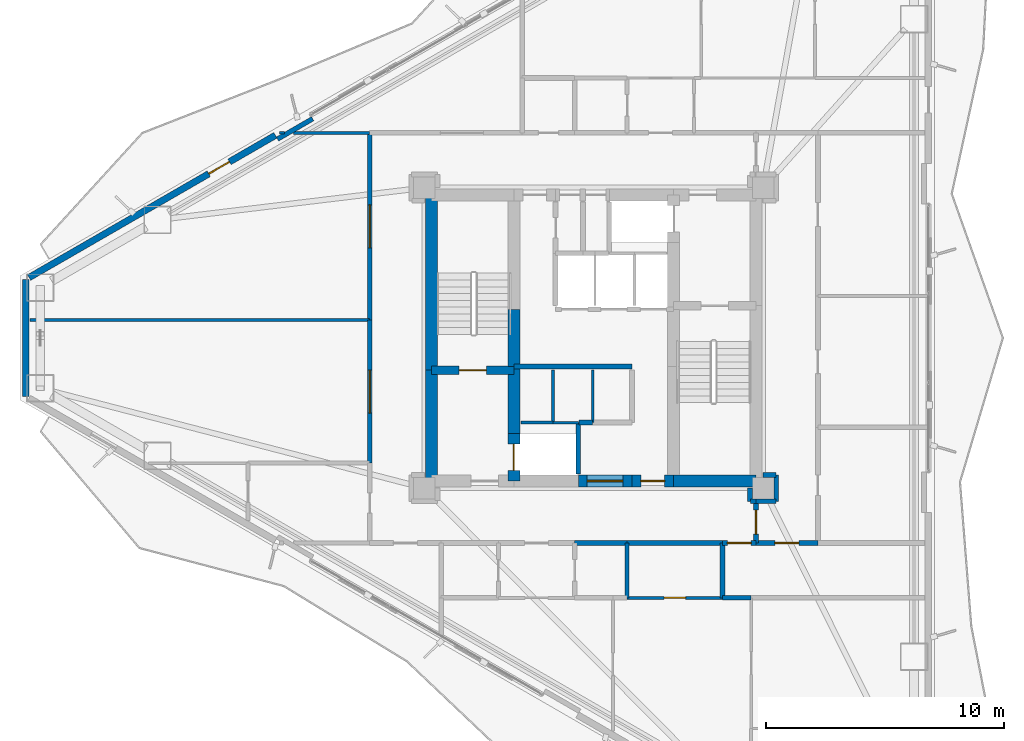
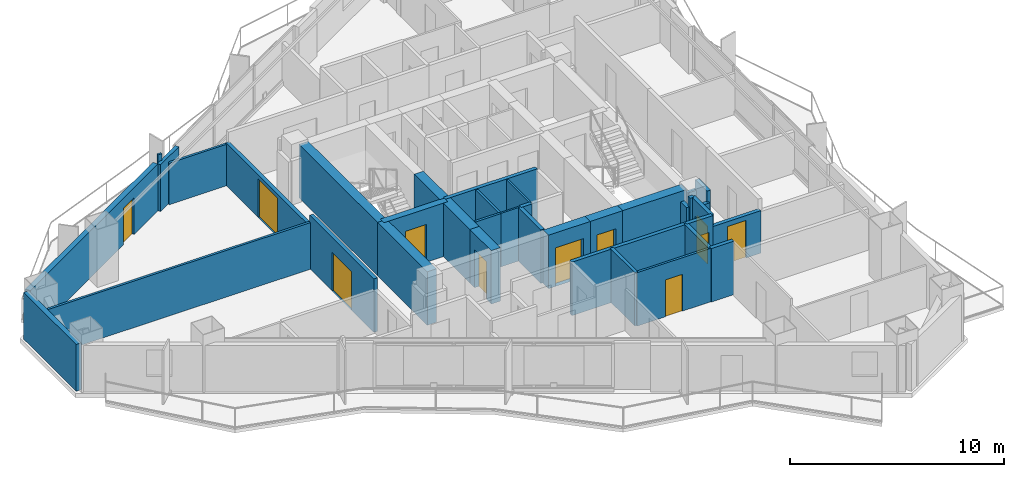
# One storey, part 16 of 22: 38 walls, 11 doors, 11 openings.
"""IFC4 building model written with IfcOpenShell, lengths in metres."""

from ifc_helpers import new_model, si_unit, direction, frame, frame_2d, origin, place, context, subcontext, project, spatial, rectangle, extrude, material, layer, layer_set, type_object, element, fill, save


model = new_model("IFC4")

# Units and contexts
model_context = context("Model", 3, precision=1e-05, world=origin(), true_north=direction((0.0, 1.0)))
body_context = subcontext(model_context, "Body", "Model", "MODEL_VIEW")
ifc_project = project(units=[si_unit("LENGTHUNIT", "METRE"), si_unit("AREAUNIT", "SQUARE_METRE"), si_unit("VOLUMEUNIT", "CUBIC_METRE"), si_unit("PLANEANGLEUNIT", "RADIAN"), si_unit("MASSUNIT", "GRAM", prefix="KILO")], contexts=[model_context])

# Site, building, storey
site_placement = place(None, origin())
site = spatial("IfcSite", under=ifc_project, at=site_placement, CompositionType="ELEMENT")
building_placement = place(site_placement, origin())
building = spatial("IfcBuilding", under=site, at=building_placement, Name="Mersakhor Tower and Convention Hall", CompositionType="ELEMENT")
storey_placement = place(building_placement, frame((0.0, 0.0, 83.39990234375)))
storey = spatial("IfcBuildingStorey", under=building, at=storey_placement, Name="L22", CompositionType="ELEMENT", Elevation=83.39990234375)

# Wall
ifc_material_1 = material(Name="Precast concrete C45/55", Category="concrete")
ifc_layer_1 = layer(ifc_material_1, 0.27490234375)
ifc_layer_set_1 = layer_set([ifc_layer_1], Name="Precast concrete C45/55")
wall_type_1 = type_object("IfcWallType", Name="WL-EXT-275", PredefinedType="SOLIDWALL", material=ifc_layer_set_1)
wall_1_placement = place(storey_placement, frame((5.186767578125, 24.292724609375, 0.0), z_axis=(0.0, 0.0, 1.0), x_axis=(0.0, 1.0, 0.0)))
element("IfcWall", 1, at=wall_1_placement, inside=storey, type_object=wall_type_1, Name="L22 Chamfer Braced Spandrel Wall C3", PredefinedType="SOLIDWALL", context=body_context, shape_type="SweptSolid", body=[
    extrude(rectangle(XDim=4.91455078125, YDim=0.27490234375, at=frame_2d((2.457275390625, 0.0))), origin(), (0.0, 0.0, 1.0), 2.670166015625),
])

# Wall, opening, door
wall_2_placement = place(storey_placement, frame((5.316650390625, 29.2822265625, 0.0), z_axis=(0.0, 0.0, 1.0), x_axis=(0.866023023012, 0.500004123596, 0.0)))
wall_2 = element("IfcWall", 2, at=wall_2_placement, inside=storey, type_object=wall_type_1, Name="L22 Exterior Facade Wall F1-B1", PredefinedType="SOLIDWALL", context=body_context, shape_type="SweptSolid", body=[
    extrude(rectangle(XDim=11.9296875, YDim=0.27490234375, at=frame_2d((5.96484375, 0.0))), origin(), (0.0, 0.0, 1.0), 2.670166015625),
])
opening_1_placement = place(wall_2_placement, frame((8.7041015625, 0.0, 0.0)))
opening_1 = element("IfcOpeningElement", 3, at=opening_1_placement, cuts=wall_2, Name="Opening BD-01", PredefinedType="OPENING", context=body_context, shape_type="SweptSolid", body=[
    extrude(rectangle(XDim=1.0, YDim=2.10009765625, at=frame_2d((0.5, 1.050048828125))), frame((0.0, 0.1474609375, 0.0), z_axis=(0.0, -1.0, 0.0), x_axis=(1.0, 0.0, 0.0)), (0.0, 0.0, 1.0), 0.294921875),
])
ifc_material_2 = material(Name="Thermally broken dark aluminium and safety glass", Category="aluminium")
door_type_1 = type_object("IfcDoorType", Name="DR-BAL-100x210", OperationType="NOTDEFINED", PredefinedType="DOOR", material=ifc_material_2)
door_1_placement = place(opening_1_placement, origin())
door_1 = element("IfcDoor", 4, at=door_1_placement, inside=storey, type_object=door_type_1, Name="L22 Balcony Terrace Door F1-B1", OperationType="SINGLE_SWING_LEFT", OverallHeight=2.10009765625, OverallWidth=1.0, PredefinedType="DOOR", context=body_context, shape_type="SweptSolid", body=[
    extrude(rectangle(XDim=1.0, YDim=2.10009765625, at=frame_2d((0.5, 1.050048828125))), frame((0.0, 0.02490234375, 0.0), z_axis=(0.0, -1.0, 0.0), x_axis=(1.0, 0.0, 0.0)), (0.0, 0.0, 1.0), 0.050048828125),
])
fill(opening_1, door_1)

# Walls
ifc_material_3 = material(Name="Precast concrete C40/50", Category="concrete")
ifc_layer_2 = layer(ifc_material_3, 0.199951171875)
ifc_layer_set_2 = layer_set([ifc_layer_2], Name="Precast concrete C40/50")
wall_type_2 = type_object("IfcWallType", Name="WL-PAR-200", PredefinedType="PARAPET", material=ifc_layer_set_2)
wall_3_placement = place(storey_placement, frame((15.73779296875, 35.091064453125, 0.0), z_axis=(0.0, 0.0, 1.0), x_axis=(0.866025371046, 0.500000056704, 0.0)))
element("IfcWall", 5, at=wall_3_placement, inside=storey, type_object=wall_type_2, Name="L22 Column Pier Cladding Wall F1-C1", PredefinedType="PARAPET", context=body_context, shape_type="SweptSolid", body=[
    extrude(rectangle(XDim=1.7001953125, YDim=0.199951171875, at=frame_2d((0.85009765625, 0.0))), origin(), (0.0, 0.0, 1.0), 2.670166015625),
])
ifc_material_4 = material(Name="Moisture-resistant acoustic drywall studwork", Category="other")
ifc_layer_3 = layer(ifc_material_4, 0.175048828125)
ifc_layer_set_3 = layer_set([ifc_layer_3], Name="Moisture-resistant acoustic drywall studwork")
wall_type_3 = type_object("IfcWallType", Name="WL-PLM-175", PredefinedType="PLUMBINGWALL", material=ifc_layer_set_3)
wall_4_placement = place(storey_placement, frame((30.39990234375, 18.14990234375, 0.0), z_axis=(0.0, 0.0, 1.0), x_axis=(0.0, -1.0, 0.0)))
element("IfcWall", 6, at=wall_4_placement, inside=storey, type_object=wall_type_3, Name="L22 Interior Partition Wall P-080", PredefinedType="PLUMBINGWALL", context=body_context, shape_type="SweptSolid", body=[
    extrude(rectangle(XDim=2.2998046875, YDim=0.175048828125, at=frame_2d((1.14990234375, 0.0))), origin(), (0.0, 0.0, 1.0), 3.050048828125),
])
ifc_material_5 = material(Name="Lightweight gypsum partition", Category="other")
ifc_layer_4 = layer(ifc_material_5, 0.10009765625)
ifc_layer_set_4 = layer_set([ifc_layer_4], Name="Lightweight gypsum partition")
wall_type_4 = type_object("IfcWallType", Name="WL-PRT-100", PredefinedType="PARTITIONING", material=ifc_layer_set_4)
wall_5_placement = place(storey_placement, frame((27.300048828125, 23.199951171875, 0.0), z_axis=(0.0, 0.0, 1.0), x_axis=(1.0, 0.0, 0.0)))
element("IfcWall", 7, at=wall_5_placement, inside=storey, type_object=wall_type_4, Name="L22 Interior Partition Wall P-002", PredefinedType="PARTITIONING", context=body_context, shape_type="SweptSolid", body=[
    extrude(rectangle(XDim=1.050048828125, YDim=0.10009765625, at=frame_2d((0.52490234375, 0.0))), origin(), (0.0, 0.0, 1.0), 3.050048828125),
])
wall_6_placement = place(storey_placement, frame((28.949951171875, 25.39990234375, 0.0), z_axis=(0.0, 0.0, 1.0), x_axis=(0.0, -1.0, 0.0)))
element("IfcWall", 8, at=wall_6_placement, inside=storey, type_object=wall_type_4, Name="L22 Interior Partition Wall P-008", PredefinedType="PARTITIONING", context=body_context, shape_type="SweptSolid", body=[
    extrude(rectangle(XDim=2.199951171875, YDim=0.10009765625, at=frame_2d((1.10009765625, 0.0))), origin(), (0.0, 0.0, 1.0), 3.050048828125),
])
wall_7_placement = place(storey_placement, frame((16.026123046875, 35.35009765625, 0.0), z_axis=(0.0, 0.0, 1.0), x_axis=(-1.0, 0.0, 0.0)))
element("IfcWall", 9, at=wall_7_placement, inside=storey, type_object=wall_type_4, Name="L22 Interior Partition Wall P-086", PredefinedType="PARTITIONING", context=body_context, shape_type="SweptSolid", body=[
    extrude(rectangle(XDim=0.2001953125, YDim=0.10009765625, at=frame_2d((0.10009765625, 0.0))), origin(), (0.0, 0.0, 1.0), 3.050048828125),
])
ifc_material_6 = material(Name="Gypsum board acoustic partition", Category="other")
ifc_layer_5 = layer(ifc_material_6, 0.125)
ifc_layer_set_5 = layer_set([ifc_layer_5], Name="Gypsum board acoustic partition")
wall_type_5 = type_object("IfcWallType", Name="WL-PRT-125", PredefinedType="PARTITIONING", material=ifc_layer_set_5)
wall_8_placement = place(storey_placement, frame((25.949951171875, 23.199951171875, 0.0), z_axis=(0.0, 0.0, 1.0), x_axis=(1.0, 0.0, 0.0)))
element("IfcWall", 10, at=wall_8_placement, inside=storey, type_object=wall_type_5, Name="L22 Interior Partition Wall P-001", PredefinedType="PARTITIONING", context=body_context, shape_type="SweptSolid", body=[
    extrude(rectangle(XDim=1.35009765625, YDim=0.125, at=frame_2d((0.675048828125, 0.0))), origin(), (0.0, 0.0, 1.0), 3.050048828125),
])
wall_9_placement = place(storey_placement, frame((27.300048828125, 25.39990234375, 0.0), z_axis=(0.0, 0.0, 1.0), x_axis=(0.0, -1.0, 0.0)))
element("IfcWall", 11, at=wall_9_placement, inside=storey, type_object=wall_type_5, Name="L22 Interior Partition Wall P-007", PredefinedType="PARTITIONING", context=body_context, shape_type="SweptSolid", body=[
    extrude(rectangle(XDim=2.199951171875, YDim=0.125, at=frame_2d((1.10009765625, 0.0))), origin(), (0.0, 0.0, 1.0), 3.050048828125),
])

# Wall, opening, door
wall_10_placement = place(storey_placement, frame((34.39990234375, 15.85009765625, 0.0), z_axis=(0.0, 0.0, 1.0), x_axis=(-1.0, 0.0, 0.0)))
wall_10 = element("IfcWall", 12, at=wall_10_placement, inside=storey, type_object=wall_type_5, Name="L22 Interior Partition Wall P-081", PredefinedType="PARTITIONING", context=body_context, shape_type="SweptSolid", body=[
    extrude(rectangle(XDim=4.0, YDim=0.125, at=frame_2d((2.0, 0.0))), origin(), (0.0, 0.0, 1.0), 3.050048828125),
])
opening_2_placement = place(wall_10_placement, frame((1.550048828125, 0.0, 0.0)))
opening_2 = element("IfcOpeningElement", 13, at=opening_2_placement, cuts=wall_10, Name="Opening WD-01", PredefinedType="OPENING", context=body_context, shape_type="SweptSolid", body=[
    extrude(rectangle(XDim=0.89990234375, YDim=2.10009765625, at=frame_2d((0.449951171875, 1.050048828125))), frame((0.0, 0.072509765625, 0.0), z_axis=(0.0, -1.0, 0.0), x_axis=(1.0, 0.0, 0.0)), (0.0, 0.0, 1.0), 0.14501953125),
])
ifc_material_7 = material(Name="Solid-core hardwood leaf in painted steel frame", Category="steel")
door_type_2 = type_object("IfcDoorType", Name="DR-INT-WET-090x210", OperationType="NOTDEFINED", PredefinedType="DOOR", material=ifc_material_7)
door_2_placement = place(opening_2_placement, origin())
door_2 = element("IfcDoor", 14, at=door_2_placement, inside=storey, type_object=door_type_2, Name="L22 L22 Flat S2 Kitchen to L22 Flat S2 Master Bedroom Door", OperationType="SINGLE_SWING_RIGHT", OverallHeight=2.10009765625, OverallWidth=0.89990234375, PredefinedType="DOOR", context=body_context, shape_type="SweptSolid", body=[
    extrude(rectangle(XDim=0.89990234375, YDim=2.10009765625, at=frame_2d((0.449951171875, 1.050048828125))), frame((0.0, 0.02490234375, 0.0), z_axis=(0.0, -1.0, 0.0), x_axis=(1.0, 0.0, 0.0)), (0.0, 0.0, 1.0), 0.050048828125),
])
fill(opening_2, door_2)

# Walls
wall_11_placement = place(storey_placement, frame((19.60009765625, 35.35009765625, 0.0), z_axis=(0.0, 0.0, 1.0), x_axis=(-1.0, 0.0, 0.0)))
element("IfcWall", 15, at=wall_11_placement, inside=storey, type_object=wall_type_5, Name="L22 Interior Partition Wall P-085", PredefinedType="PARTITIONING", context=body_context, shape_type="SweptSolid", body=[
    extrude(rectangle(XDim=3.188232421875, YDim=0.125, at=frame_2d((1.59423828125, 0.0))), origin(), (0.0, 0.0, 1.0), 2.364990234375),
])
wall_12_placement = place(storey_placement, frame((19.60009765625, 27.5, 0.0), z_axis=(0.0, 0.0, 1.0), x_axis=(-1.0, 0.0, 0.0)))
element("IfcWall", 16, at=wall_12_placement, inside=storey, type_object=wall_type_5, Name="L22 Interior Partition Wall P-091", PredefinedType="PARTITIONING", context=body_context, shape_type="SweptSolid", body=[
    extrude(rectangle(XDim=14.251953125, YDim=0.125, at=frame_2d((7.1259765625, 0.0))), origin(), (0.0, 0.0, 1.0), 2.660400390625),
])
ifc_material_8 = material(Name="Acoustic concrete blockwork and gypsum board", Category="masonry")
ifc_layer_6 = layer(ifc_material_8, 0.199951171875)
ifc_layer_set_6 = layer_set([ifc_layer_6], Name="Acoustic concrete blockwork and gypsum board")
wall_type_6 = type_object("IfcWallType", Name="WL-PRT-200", PredefinedType="PARTITIONING", material=ifc_layer_set_6)
wall_13_placement = place(storey_placement, frame((25.64990234375, 25.550048828125, 0.0), z_axis=(0.0, 0.0, 1.0), x_axis=(1.0, 0.0, 0.0)))
element("IfcWall", 17, at=wall_13_placement, inside=storey, type_object=wall_type_6, Name="L22 High-Rise Lift Bank Front Wall", PredefinedType="PARTITIONING", context=body_context, shape_type="SweptSolid", body=[
    extrude(rectangle(XDim=4.9501953125, YDim=0.199951171875, at=frame_2d((2.47509765625, 0.0))), origin(), (0.0, 0.0, 1.0), 3.050048828125),
])
wall_14_placement = place(storey_placement, frame((28.35009765625, 23.199951171875, 0.0), z_axis=(0.0, 0.0, 1.0), x_axis=(0.0, -1.0, 0.0)))
element("IfcWall", 18, at=wall_14_placement, inside=storey, type_object=wall_type_6, Name="L22 Interior Partition Wall P-003", PredefinedType="PARTITIONING", context=body_context, shape_type="SweptSolid", body=[
    extrude(rectangle(XDim=2.14990234375, YDim=0.199951171875, at=frame_2d((1.074951171875, 0.0))), origin(), (0.0, 0.0, 1.0), 3.050048828125),
])
wall_15_placement = place(storey_placement, frame((28.949951171875, 23.199951171875, 0.0), z_axis=(0.0, 0.0, 1.0), x_axis=(-1.0, 0.0, 0.0)))
element("IfcWall", 19, at=wall_15_placement, inside=storey, type_object=wall_type_6, Name="L22 Interior Partition Wall P-009", PredefinedType="PARTITIONING", context=body_context, shape_type="SweptSolid", body=[
    extrude(rectangle(XDim=0.570068359375, YDim=0.199951171875, at=frame_2d((0.28515625, 0.0))), origin(), (0.0, 0.0, 1.0), 3.050048828125),
])
wall_16_placement = place(storey_placement, frame((35.550048828125, 20.449951171875, 0.0), z_axis=(0.0, 0.0, 1.0), x_axis=(0.0, -1.0, 0.0)))
element("IfcWall", 20, at=wall_16_placement, inside=storey, type_object=wall_type_6, Name="L22 Interior Partition Wall P-021", PredefinedType="PARTITIONING", context=body_context, shape_type="SweptSolid", body=[
    extrude(rectangle(XDim=0.550048828125, YDim=0.199951171875, at=frame_2d((0.27490234375, 0.0))), origin(), (0.0, 0.0, 1.0), 2.498291015625),
])
wall_17_placement = place(storey_placement, frame((35.580078125, 19.89990234375, 0.0), z_axis=(0.0, 0.0, 1.0), x_axis=(1.0, 0.0, 0.0)))
element("IfcWall", 21, at=wall_17_placement, inside=storey, type_object=wall_type_6, Name="L22 Interior Partition Wall P-022", PredefinedType="PARTITIONING", context=body_context, shape_type="SweptSolid", body=[
    extrude(rectangle(XDim=0.219970703125, YDim=0.199951171875, at=frame_2d((0.10986328125, 0.0))), origin(), (0.0, 0.0, 1.0), 3.050048828125),
])

# Wall, opening, door
wall_18_placement = place(storey_placement, frame((35.800048828125, 19.89990234375, 0.0), z_axis=(0.0, 0.0, 1.0), x_axis=(0.0, -1.0, 0.0)))
wall_18 = element("IfcWall", 22, at=wall_18_placement, inside=storey, type_object=wall_type_6, Name="L22 Interior Partition Wall P-023", PredefinedType="PARTITIONING", context=body_context, shape_type="SweptSolid", body=[
    extrude(rectangle(XDim=1.75, YDim=0.199951171875, at=frame_2d((0.875, 0.0))), origin(), (0.0, 0.0, 1.0), 3.050048828125),
])
opening_3_placement = place(wall_18_placement, frame((0.375, 0.0, 0.0)))
opening_3 = element("IfcOpeningElement", 23, at=opening_3_placement, cuts=wall_18, Name="Opening FD-01", PredefinedType="OPENING", context=body_context, shape_type="SweptSolid", body=[
    extrude(rectangle(XDim=1.0, YDim=2.14990234375, at=frame_2d((0.5, 1.074951171875))), frame((0.0, 0.10986328125, 0.0), z_axis=(0.0, -1.0, 0.0), x_axis=(1.0, 0.0, 0.0)), (0.0, 0.0, 1.0), 0.219970703125),
])
ifc_material_9 = material(Name="Fire-rated hardwood leaf and painted steel frame", Category="steel")
door_type_3 = type_object("IfcDoorType", Name="DR-INT-FLT-100x215", OperationType="NOTDEFINED", PredefinedType="DOOR", material=ifc_material_9)
door_3_placement = place(opening_3_placement, origin())
door_3 = element("IfcDoor", 24, at=door_3_placement, inside=storey, type_object=door_type_3, Name="L22 Ring Corridor Fire Door", OperationType="SINGLE_SWING_LEFT", OverallHeight=2.14990234375, OverallWidth=1.0, PredefinedType="DOOR", context=body_context, shape_type="SweptSolid", body=[
    extrude(rectangle(XDim=1.0, YDim=2.14990234375, at=frame_2d((0.5, 1.074951171875))), frame((0.0, 0.02490234375, 0.0), z_axis=(0.0, -1.0, 0.0), x_axis=(1.0, 0.0, 0.0)), (0.0, 0.0, 1.0), 0.050048828125),
])
fill(opening_3, door_3)

wall_19_placement = place(storey_placement, frame((35.800048828125, 18.14990234375, 0.0), z_axis=(0.0, 0.0, 1.0), x_axis=(-1.0, 0.0, 0.0)))
wall_19 = element("IfcWall", 25, at=wall_19_placement, inside=storey, type_object=wall_type_6, Name="L22 Interior Partition Wall P-024", PredefinedType="PARTITIONING", context=body_context, shape_type="SweptSolid", body=[
    extrude(rectangle(XDim=1.400146484375, YDim=0.199951171875, at=frame_2d((0.7001953125, 0.0))), origin(), (0.0, 0.0, 1.0), 3.050048828125),
])
opening_4_placement = place(wall_19_placement, frame((0.199951171875, 0.0, 0.0)))
opening_4 = element("IfcOpeningElement", 26, at=opening_4_placement, cuts=wall_19, Name="Opening FD-01", PredefinedType="OPENING", context=body_context, shape_type="SweptSolid", body=[
    extrude(rectangle(XDim=1.0, YDim=2.14990234375, at=frame_2d((0.5, 1.074951171875))), frame((0.0, 0.10986328125, 0.0), z_axis=(0.0, -1.0, 0.0), x_axis=(1.0, 0.0, 0.0)), (0.0, 0.0, 1.0), 0.219970703125),
])
door_4_placement = place(opening_4_placement, origin())
door_4 = element("IfcDoor", 27, at=door_4_placement, inside=storey, type_object=door_type_3, Name="L22 Residential Ring Corridor to L22 South-East Shared Tea Pantry Door", OperationType="SINGLE_SWING_RIGHT", OverallHeight=2.14990234375, OverallWidth=1.0, PredefinedType="DOOR", context=body_context, shape_type="SweptSolid", body=[
    extrude(rectangle(XDim=1.0, YDim=2.14990234375, at=frame_2d((0.5, 1.074951171875))), frame((0.0, 0.02490234375, 0.0), z_axis=(0.0, -1.0, 0.0), x_axis=(1.0, 0.0, 0.0)), (0.0, 0.0, 1.0), 0.050048828125),
])
fill(opening_4, door_4)

# Walls
wall_20_placement = place(storey_placement, frame((34.39990234375, 18.14990234375, 0.0), z_axis=(0.0, 0.0, 1.0), x_axis=(-1.0, 0.0, 0.0)))
element("IfcWall", 28, at=wall_20_placement, inside=storey, type_object=wall_type_6, Name="L22 Interior Partition Wall P-025", PredefinedType="PARTITIONING", context=body_context, shape_type="SweptSolid", body=[
    extrude(rectangle(XDim=4.0, YDim=0.199951171875, at=frame_2d((2.0, 0.0))), origin(), (0.0, 0.0, 1.0), 3.050048828125),
])
wall_21_placement = place(storey_placement, frame((30.39990234375, 18.14990234375, 0.0), z_axis=(0.0, 0.0, 1.0), x_axis=(-1.0, 0.0, 0.0)))
element("IfcWall", 29, at=wall_21_placement, inside=storey, type_object=wall_type_6, Name="L22 Interior Partition Wall P-026", PredefinedType="PARTITIONING", context=body_context, shape_type="SweptSolid", body=[
    extrude(rectangle(XDim=2.199951171875, YDim=0.199951171875, at=frame_2d((1.10009765625, 0.0))), origin(), (0.0, 0.0, 1.0), 3.050048828125),
])

# Wall, opening, door
wall_22_placement = place(storey_placement, frame((19.60009765625, 21.5, 0.0), z_axis=(0.0, 0.0, 1.0), x_axis=(0.0, 1.0, 0.0)))
wall_22 = element("IfcWall", 30, at=wall_22_placement, inside=storey, type_object=wall_type_6, Name="L22 Interior Partition Wall P-031", PredefinedType="PARTITIONING", context=body_context, shape_type="SweptSolid", body=[
    extrude(rectangle(XDim=6.0, YDim=0.199951171875, at=frame_2d((3.0, 0.0))), origin(), (0.0, 0.0, 1.0), 3.050048828125),
])
opening_5_placement = place(wall_22_placement, frame((2.10009765625, 0.0, 0.0)))
opening_5 = element("IfcOpeningElement", 31, at=opening_5_placement, cuts=wall_22, Name="Opening HD-01", PredefinedType="OPENING", context=body_context, shape_type="SweptSolid", body=[
    extrude(rectangle(XDim=1.800048828125, YDim=2.199951171875, at=frame_2d((0.89990234375, 1.10009765625))), frame((0.0, 0.10986328125, 0.0), z_axis=(0.0, -1.0, 0.0), x_axis=(1.0, 0.0, 0.0)), (0.0, 0.0, 1.0), 0.219970703125),
])
ifc_material_10 = material(Name="Fire-rated hardwood leaf and painted steel frame", Category="steel")
door_type_4 = type_object("IfcDoorType", Name="DR-INT-HALL-180x220", OperationType="NOTDEFINED", PredefinedType="DOOR", material=ifc_material_10)
door_5_placement = place(opening_5_placement, origin())
door_5 = element("IfcDoor", 32, at=door_5_placement, inside=storey, type_object=door_type_4, Name="L22 Residential Ring Corridor to L22 West Wing Residents Seminar Room Door", OperationType="DOUBLE_DOOR_SINGLE_SWING", OverallHeight=2.199951171875, OverallWidth=1.800048828125, PredefinedType="DOOR", context=body_context, shape_type="SweptSolid", body=[
    extrude(rectangle(XDim=1.800048828125, YDim=2.199951171875, at=frame_2d((0.89990234375, 1.10009765625))), frame((0.0, 0.02490234375, 0.0), z_axis=(0.0, -1.0, 0.0), x_axis=(1.0, 0.0, 0.0)), (0.0, 0.0, 1.0), 0.050048828125),
])
fill(opening_5, door_5)

wall_23_placement = place(storey_placement, frame((19.60009765625, 27.5, 0.0), z_axis=(0.0, 0.0, 1.0), x_axis=(0.0, 1.0, 0.0)))
wall_23 = element("IfcWall", 33, at=wall_23_placement, inside=storey, type_object=wall_type_6, Name="L22 Interior Partition Wall P-032", PredefinedType="PARTITIONING", context=body_context, shape_type="SweptSolid", body=[
    extrude(rectangle(XDim=7.85009765625, YDim=0.199951171875, at=frame_2d((3.925048828125, 0.0))), origin(), (0.0, 0.0, 1.0), 2.4228515625),
])
opening_6_placement = place(wall_23_placement, frame((3.02490234375, 0.0, 0.0)))
opening_6 = element("IfcOpeningElement", 34, at=opening_6_placement, cuts=wall_23, Name="Opening HD-01", PredefinedType="OPENING", context=body_context, shape_type="SweptSolid", body=[
    extrude(rectangle(XDim=1.800048828125, YDim=2.199951171875, at=frame_2d((0.89990234375, 1.10009765625))), frame((0.0, 0.10986328125, 0.0), z_axis=(0.0, -1.0, 0.0), x_axis=(1.0, 0.0, 0.0)), (0.0, 0.0, 1.0), 0.219970703125),
])
door_6_placement = place(opening_6_placement, origin())
door_6 = element("IfcDoor", 35, at=door_6_placement, inside=storey, type_object=door_type_4, Name="L22 Residential Ring Corridor to L22 West Wing Residents Dining Hall Door", OperationType="DOUBLE_DOOR_SINGLE_SWING", OverallHeight=2.199951171875, OverallWidth=1.800048828125, PredefinedType="DOOR", context=body_context, shape_type="SweptSolid", body=[
    extrude(rectangle(XDim=1.800048828125, YDim=2.199951171875, at=frame_2d((0.89990234375, 1.10009765625))), frame((0.0, 0.02490234375, 0.0), z_axis=(0.0, -1.0, 0.0), x_axis=(1.0, 0.0, 0.0)), (0.0, 0.0, 1.0), 0.050048828125),
])
fill(opening_6, door_6)

# Wall
wall_24_placement = place(storey_placement, frame((36.64990234375, 21.0, 0.0), z_axis=(0.0, 0.0, 1.0), x_axis=(-1.0, 0.0, 0.0)))
element("IfcWall", 36, at=wall_24_placement, inside=storey, type_object=wall_type_6, Name="L22 Interior Partition Wall P-047", PredefinedType="PARTITIONING", context=body_context, shape_type="SweptSolid", body=[
    extrude(rectangle(XDim=0.5498046875, YDim=0.199951171875, at=frame_2d((0.27490234375, 0.0))), origin(), (0.0, 0.0, 1.0), 2.498291015625),
])

# Wall, opening, door
wall_25_placement = place(storey_placement, frame((38.39990234375, 18.14990234375, 0.0), z_axis=(0.0, 0.0, 1.0), x_axis=(-1.0, 0.0, 0.0)))
wall_25 = element("IfcWall", 37, at=wall_25_placement, inside=storey, type_object=wall_type_6, Name="L22 Interior Partition Wall P-055", PredefinedType="PARTITIONING", context=body_context, shape_type="SweptSolid", body=[
    extrude(rectangle(XDim=2.599853515625, YDim=0.199951171875, at=frame_2d((1.2998046875, 0.0))), origin(), (0.0, 0.0, 1.0), 2.4228515625),
])
opening_7_placement = place(wall_25_placement, frame((0.800048828125, 0.0, 0.0)))
opening_7 = element("IfcOpeningElement", 38, at=opening_7_placement, cuts=wall_25, Name="Opening FD-01", PredefinedType="OPENING", context=body_context, shape_type="SweptSolid", body=[
    extrude(rectangle(XDim=1.0, YDim=2.14990234375, at=frame_2d((0.5, 1.074951171875))), frame((0.0, 0.10986328125, 0.0), z_axis=(0.0, -1.0, 0.0), x_axis=(1.0, 0.0, 0.0)), (0.0, 0.0, 1.0), 0.219970703125),
])
door_7_placement = place(opening_7_placement, origin())
door_7 = element("IfcDoor", 39, at=door_7_placement, inside=storey, type_object=door_type_3, Name="L22 Residential Ring East Corridor to L22 South-East Shared Tea Pantry Door", OperationType="SINGLE_SWING_RIGHT", OverallHeight=2.14990234375, OverallWidth=1.0, PredefinedType="DOOR", context=body_context, shape_type="SweptSolid", body=[
    extrude(rectangle(XDim=1.0, YDim=2.14990234375, at=frame_2d((0.5, 1.074951171875))), frame((0.0, 0.02490234375, 0.0), z_axis=(0.0, -1.0, 0.0), x_axis=(1.0, 0.0, 0.0)), (0.0, 0.0, 1.0), 0.050048828125),
])
fill(opening_7, door_7)

# Walls
wall_26_placement = place(storey_placement, frame((35.800048828125, 19.89990234375, 0.0), z_axis=(0.0, 0.0, 1.0), x_axis=(1.0, 0.0, 0.0)))
element("IfcWall", 40, at=wall_26_placement, inside=storey, type_object=wall_type_6, Name="L22 Interior Partition Wall P-056", PredefinedType="PARTITIONING", context=body_context, shape_type="SweptSolid", body=[
    extrude(rectangle(XDim=0.849853515625, YDim=0.199951171875, at=frame_2d((0.4248046875, 0.0))), origin(), (0.0, 0.0, 1.0), 2.4228515625),
])
wall_27_placement = place(storey_placement, frame((36.64990234375, 19.89990234375, 0.0), z_axis=(0.0, 0.0, 1.0), x_axis=(0.0, 1.0, 0.0)))
element("IfcWall", 41, at=wall_27_placement, inside=storey, type_object=wall_type_6, Name="L22 Interior Partition Wall P-057", PredefinedType="PARTITIONING", context=body_context, shape_type="SweptSolid", body=[
    extrude(rectangle(XDim=1.10009765625, YDim=0.199951171875, at=frame_2d((0.550048828125, 0.0))), origin(), (0.0, 0.0, 1.0), 3.050048828125),
])
wall_28_placement = place(storey_placement, frame((34.39990234375, 18.14990234375, 0.0), z_axis=(0.0, 0.0, 1.0), x_axis=(0.0, -1.0, 0.0)))
element("IfcWall", 42, at=wall_28_placement, inside=storey, type_object=wall_type_6, Name="L22 Interior Partition Wall P-082", PredefinedType="PARTITIONING", context=body_context, shape_type="SweptSolid", body=[
    extrude(rectangle(XDim=2.2998046875, YDim=0.199951171875, at=frame_2d((1.14990234375, 0.0))), origin(), (0.0, 0.0, 1.0), 3.050048828125),
])
wall_29_placement = place(storey_placement, frame((35.60009765625, 15.85009765625, 0.0), z_axis=(0.0, 0.0, 1.0), x_axis=(-1.0, 0.0, 0.0)))
element("IfcWall", 43, at=wall_29_placement, inside=storey, type_object=wall_type_6, Name="L22 Interior Partition Wall P-089", PredefinedType="PARTITIONING", context=body_context, shape_type="SweptSolid", body=[
    extrude(rectangle(XDim=1.2001953125, YDim=0.199951171875, at=frame_2d((0.60009765625, 0.0))), origin(), (0.0, 0.0, 1.0), 3.050048828125),
])

# Wall, opening, door
ifc_material_11 = material(Name="Concrete C50/60", Category="concrete")
ifc_layer_7 = layer(ifc_material_11, 0.35009765625)
ifc_layer_set_7 = layer_set([ifc_layer_7], Name="Concrete C50/60")
wall_type_7 = type_object("IfcWallType", Name="WL-SHR-350", PredefinedType="SHEAR", material=ifc_layer_set_7)
wall_30_placement = place(storey_placement, frame((22.199951171875, 25.39990234375, 0.0), z_axis=(0.0, 0.0, 1.0), x_axis=(1.0, 0.0, 0.0)))
wall_30 = element("IfcWall", 44, at=wall_30_placement, inside=storey, type_object=wall_type_7, Name="L22 Core Wall CS-ST1-S", PredefinedType="SHEAR", context=body_context, shape_type="SweptSolid", body=[
    extrude(rectangle(XDim=3.449951171875, YDim=0.35009765625, at=frame_2d((1.72509765625, 0.0))), origin(), (0.0, 0.0, 1.0), 3.050048828125),
])
opening_8_placement = place(wall_30_placement, frame((1.14990234375, 0.0, 0.0)))
opening_8 = element("IfcOpeningElement", 45, at=opening_8_placement, cuts=wall_30, Name="Opening SD-01", PredefinedType="OPENING", context=body_context, shape_type="SweptSolid", body=[
    extrude(rectangle(XDim=1.14990234375, YDim=2.14990234375, at=frame_2d((0.574951171875, 1.074951171875))), frame((0.0, 0.18505859375, 0.0), z_axis=(0.0, -1.0, 0.0), x_axis=(1.0, 0.0, 0.0)), (0.0, 0.0, 1.0), 0.3701171875),
])
ifc_material_12 = material(Name="Fire-rated hardwood leaf and painted steel frame", Category="steel")
door_type_5 = type_object("IfcDoorType", Name="DR-INT-STAIR-115x215", OperationType="NOTDEFINED", PredefinedType="DOOR", material=ifc_material_12)
door_8_placement = place(opening_8_placement, origin())
door_8 = element("IfcDoor", 46, at=door_8_placement, inside=storey, type_object=door_type_5, Name="L22 Exit Stair ST-1 Enclosure Door", OperationType="SINGLE_SWING_LEFT", OverallHeight=2.14990234375, OverallWidth=1.14990234375, PredefinedType="DOOR", context=body_context, shape_type="SweptSolid", body=[
    extrude(rectangle(XDim=1.14990234375, YDim=2.14990234375, at=frame_2d((0.574951171875, 1.074951171875))), frame((0.0, 0.02490234375, 0.0), z_axis=(0.0, -1.0, 0.0), x_axis=(1.0, 0.0, 0.0)), (0.0, 0.0, 1.0), 0.050048828125),
])
fill(opening_8, door_8)

# Walls
ifc_material_13 = material(Name="Concrete C70/85", Category="concrete")
ifc_layer_8 = layer(ifc_material_13, 0.5)
ifc_layer_set_8 = layer_set([ifc_layer_8], Name="Concrete C70/85")
wall_type_8 = type_object("IfcWallType", Name="WL-SHR-500", PredefinedType="SHEAR", material=ifc_layer_set_8)
wall_31_placement = place(storey_placement, frame((22.199951171875, 20.75, 0.0), z_axis=(0.0, 0.0, 1.0), x_axis=(0.0, 1.0, 0.0)))
element("IfcWall", 47, at=wall_31_placement, inside=storey, type_object=wall_type_8, Name="L22 Core Wall CW-W1", PredefinedType="SHEAR", context=body_context, shape_type="SweptSolid", body=[
    extrude(rectangle(XDim=4.64990234375, YDim=0.5, at=frame_2d((2.324951171875, 0.0))), origin(), (0.0, 0.0, 1.0), 3.050048828125),
])
wall_32_placement = place(storey_placement, frame((22.199951171875, 25.39990234375, 0.0), z_axis=(0.0, 0.0, 1.0), x_axis=(0.0, 1.0, 0.0)))
element("IfcWall", 48, at=wall_32_placement, inside=storey, type_object=wall_type_8, Name="L22 Core Wall CW-W2", PredefinedType="SHEAR", context=body_context, shape_type="SweptSolid", body=[
    extrude(rectangle(XDim=7.35009765625, YDim=0.5, at=frame_2d((3.675048828125, 0.0))), origin(), (0.0, 0.0, 1.0), 3.050048828125),
])
wall_33_placement = place(storey_placement, frame((35.800048828125, 20.75, 0.0), z_axis=(0.0, 0.0, 1.0), x_axis=(-1.0, 0.0, 0.0)))
element("IfcWall", 49, at=wall_33_placement, inside=storey, type_object=wall_type_8, Name="L22 Core Wall CW-S1", PredefinedType="SHEAR", context=body_context, shape_type="SweptSolid", body=[
    extrude(rectangle(XDim=3.449951171875, YDim=0.5, at=frame_2d((1.72509765625, 0.0))), origin(), (0.0, 0.0, 1.0), 3.050048828125),
])

# Wall, opening, door
wall_34_placement = place(storey_placement, frame((32.35009765625, 20.75, 0.0), z_axis=(0.0, 0.0, 1.0), x_axis=(-1.0, 0.0, 0.0)))
wall_34 = element("IfcWall", 50, at=wall_34_placement, inside=storey, type_object=wall_type_8, Name="L22 Core Wall CW-S2A", PredefinedType="SHEAR", context=body_context, shape_type="SweptSolid", body=[
    extrude(rectangle(XDim=1.75, YDim=0.5, at=frame_2d((0.875, 0.0))), origin(), (0.0, 0.0, 1.0), 3.050048828125),
])
opening_9_placement = place(wall_34_placement, frame((0.375, 0.0, 0.0)))
opening_9 = element("IfcOpeningElement", 51, at=opening_9_placement, cuts=wall_34, Name="Opening CFD-01", PredefinedType="OPENING", context=body_context, shape_type="SweptSolid", body=[
    extrude(rectangle(XDim=1.0, YDim=2.14990234375, at=frame_2d((0.5, 1.074951171875))), frame((0.0, 0.260009765625, 0.0), z_axis=(0.0, -1.0, 0.0), x_axis=(1.0, 0.0, 0.0)), (0.0, 0.0, 1.0), 0.52001953125),
])
ifc_material_14 = material(Name="Fire-rated hardwood leaf and painted steel frame", Category="steel")
door_type_6 = type_object("IfcDoorType", Name="DR-CORE-FD-100x215", OperationType="NOTDEFINED", PredefinedType="DOOR", material=ifc_material_14)
door_9_placement = place(opening_9_placement, origin())
door_9 = element("IfcDoor", 52, at=door_9_placement, inside=storey, type_object=door_type_6, Name="L22 Lift Lobby South Corridor Door", OperationType="SINGLE_SWING_RIGHT", OverallHeight=2.14990234375, OverallWidth=1.0, PredefinedType="DOOR", context=body_context, shape_type="SweptSolid", body=[
    extrude(rectangle(XDim=1.0, YDim=2.14990234375, at=frame_2d((0.5, 1.074951171875))), frame((0.0, 0.02490234375, 0.0), z_axis=(0.0, -1.0, 0.0), x_axis=(1.0, 0.0, 0.0)), (0.0, 0.0, 1.0), 0.050048828125),
])
fill(opening_9, door_9)

wall_35_placement = place(storey_placement, frame((30.60009765625, 20.75, 0.0), z_axis=(0.0, 0.0, 1.0), x_axis=(-1.0, 0.0, 0.0)))
wall_35 = element("IfcWall", 53, at=wall_35_placement, inside=storey, type_object=wall_type_8, Name="L22 Core Wall CW-S2B", PredefinedType="SHEAR", context=body_context, shape_type="SweptSolid", body=[
    extrude(rectangle(XDim=2.25, YDim=0.5, at=frame_2d((1.125, 0.0))), origin(), (0.0, 0.0, 1.0), 3.050048828125),
])
opening_10_placement = place(wall_35_placement, frame((0.375, 0.0, 0.0)))
opening_10 = element("IfcOpeningElement", 54, at=opening_10_placement, cuts=wall_35, Name="Opening LD-LOB", PredefinedType="OPENING", context=body_context, shape_type="SweptSolid", body=[
    extrude(rectangle(XDim=1.5, YDim=2.199951171875, at=frame_2d((0.75, 1.10009765625))), frame((0.0, 0.260009765625, 0.0), z_axis=(0.0, -1.0, 0.0), x_axis=(1.0, 0.0, 0.0)), (0.0, 0.0, 1.0), 0.52001953125),
])
ifc_material_15 = material(Name="Fire-rated hardwood leaf and painted steel frame", Category="steel")
door_type_7 = type_object("IfcDoorType", Name="DR-INT-LOB-150x220", OperationType="NOTDEFINED", PredefinedType="DOOR", material=ifc_material_15)
door_10_placement = place(opening_10_placement, origin())
door_10 = element("IfcDoor", 55, at=door_10_placement, inside=storey, type_object=door_type_7, Name="L22 Central Passenger Lift Lobby to Residential Ring Corridor Door", OperationType="DOUBLE_DOOR_SINGLE_SWING", OverallHeight=2.199951171875, OverallWidth=1.5, PredefinedType="DOOR", context=body_context, shape_type="SweptSolid", body=[
    extrude(rectangle(XDim=1.5, YDim=2.199951171875, at=frame_2d((0.75, 1.10009765625))), frame((0.0, 0.02490234375, 0.0), z_axis=(0.0, -1.0, 0.0), x_axis=(1.0, 0.0, 0.0)), (0.0, 0.0, 1.0), 0.050048828125),
])
fill(opening_10, door_10)

wall_36_placement = place(storey_placement, frame((25.64990234375, 20.75, 0.0), z_axis=(0.0, 0.0, 1.0), x_axis=(0.0, 1.0, 0.0)))
wall_36 = element("IfcWall", 56, at=wall_36_placement, inside=storey, type_object=wall_type_8, Name="L22 Core Wall CS-W-FFL", PredefinedType="SHEAR", context=body_context, shape_type="SweptSolid", body=[
    extrude(rectangle(XDim=2.0, YDim=0.5, at=frame_2d((1.0, 0.0))), origin(), (0.0, 0.0, 1.0), 3.050048828125),
])
opening_11_placement = place(wall_36_placement, frame((0.449951171875, 0.0, 0.0)))
opening_11 = element("IfcOpeningElement", 57, at=opening_11_placement, cuts=wall_36, Name="Opening LD-FFL1", PredefinedType="OPENING", context=body_context, shape_type="SweptSolid", body=[
    extrude(rectangle(XDim=1.10009765625, YDim=2.14990234375, at=frame_2d((0.550048828125, 1.074951171875))), frame((0.0, 0.260009765625, 0.0), z_axis=(0.0, -1.0, 0.0), x_axis=(1.0, 0.0, 0.0)), (0.0, 0.0, 1.0), 0.52001953125),
])
ifc_material_16 = material(Name="Fire-rated brushed stainless steel sliding landing door", Category="steel")
door_type_8 = type_object("IfcDoorType", Name="DR-LIFT-SLD-110x215", OperationType="NOTDEFINED", PredefinedType="DOOR", material=ifc_material_16)
door_11_placement = place(opening_11_placement, origin())
door_11 = element("IfcDoor", 58, at=door_11_placement, inside=storey, type_object=door_type_8, Name="L22 Firefighting Lift Landing Door LD-FFL1", OperationType="SLIDING_TO_LEFT", OverallHeight=2.14990234375, OverallWidth=1.10009765625, PredefinedType="DOOR", context=body_context, shape_type="SweptSolid", body=[
    extrude(rectangle(XDim=1.10009765625, YDim=2.14990234375, at=frame_2d((0.550048828125, 1.074951171875))), frame((0.0, 0.02490234375, 0.0), z_axis=(0.0, -1.0, 0.0), x_axis=(1.0, 0.0, 0.0)), (0.0, 0.0, 1.0), 0.050048828125),
])
fill(opening_11, door_11)

# Walls
wall_37_placement = place(storey_placement, frame((25.64990234375, 22.75, 0.0), z_axis=(0.0, 0.0, 1.0), x_axis=(0.0, 1.0, 0.0)))
element("IfcWall", 59, at=wall_37_placement, inside=storey, type_object=wall_type_8, Name="L22 Core Wall CS-W-MID", PredefinedType="SHEAR", context=body_context, shape_type="SweptSolid", body=[
    extrude(rectangle(XDim=2.800048828125, YDim=0.5, at=frame_2d((1.39990234375, 0.0))), origin(), (0.0, 0.0, 1.0), 3.050048828125),
])
wall_38_placement = place(storey_placement, frame((25.64990234375, 25.550048828125, 0.0), z_axis=(0.0, 0.0, 1.0), x_axis=(0.0, 1.0, 0.0)))
element("IfcWall", 60, at=wall_38_placement, inside=storey, type_object=wall_type_8, Name="L22 Core Wall CS-W-LOB", PredefinedType="SHEAR", context=body_context, shape_type="SweptSolid", body=[
    extrude(rectangle(XDim=2.39990234375, YDim=0.5, at=frame_2d((1.199951171875, 0.0))), origin(), (0.0, 0.0, 1.0), 3.050048828125),
])

save(model, "model.ifc")
